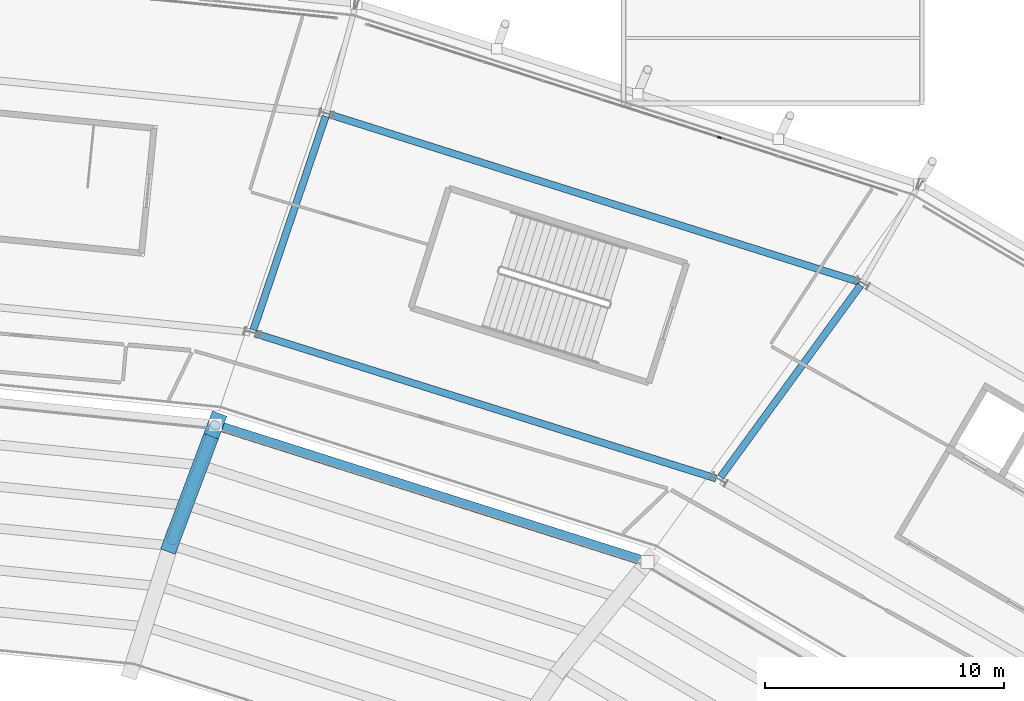
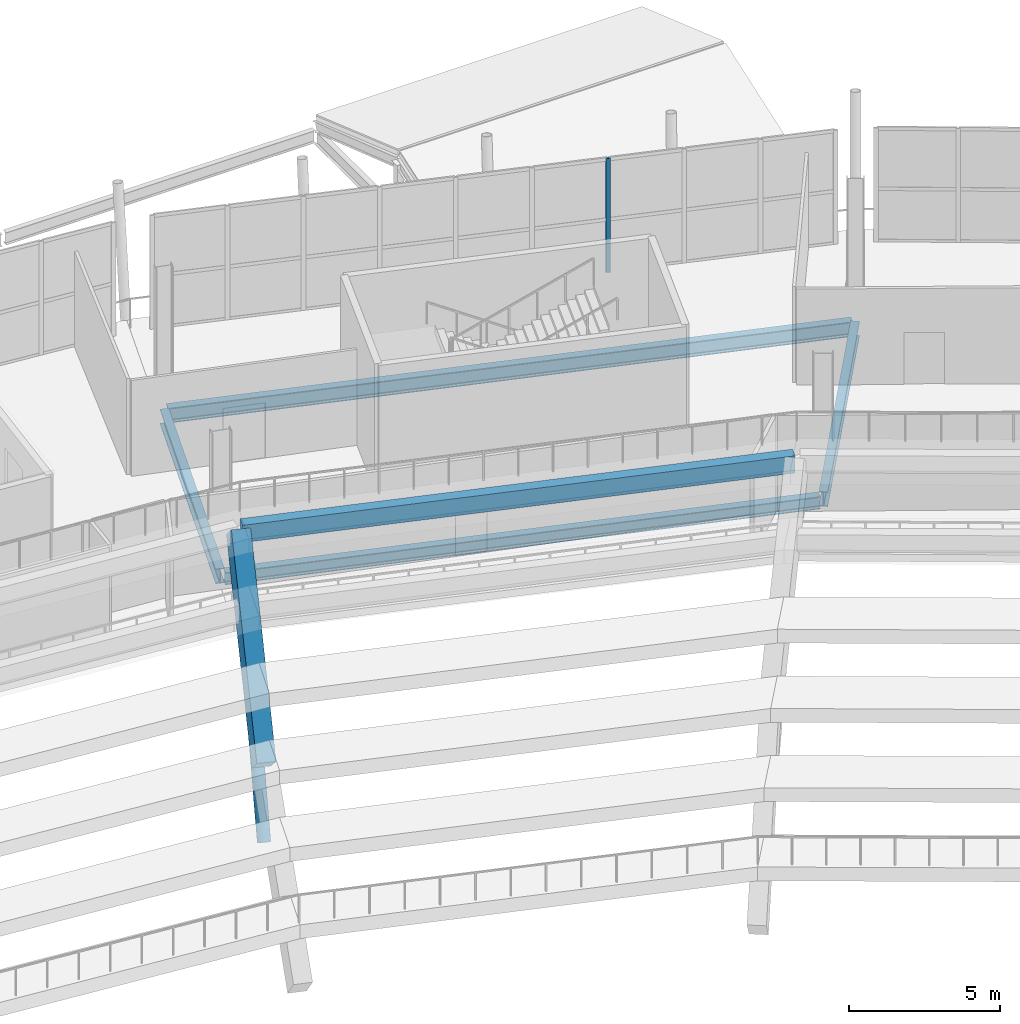
# One storey, part 56 of 126: 6 beams, 2 members, 1 element without a shape of its own.
"""IFC4 building model written with IfcOpenShell, lengths in metres."""

import ifcopenshell
import ifcopenshell.guid

model = None  # the IFC model being written
_history = None  # IfcOwnerHistory: only IFC2X3 demands one
_inside = {}  # id of a spatial element -> (the spatial element, [elements in it])
_under = {}  # id of a project, library or spatial element -> (it, [spatial elements below it])
_declared = {}  # id of a project -> (the project, [libraries it declares])
_typed = {}  # id of a type object -> (the type object, [elements of that type])
_made_of = {}  # id of a material, layer set ... -> (it, [elements and type objects made of it])


def new_model(schema):
    """Start an empty IFC model of exactly this schema.

    Asked for "IFC4X3", IfcOpenShell would pick the latest addendum, in which some entities
    have other attributes; the version numbers below select the first issue.
    IFC2X3 requires an IfcOwnerHistory on every rooted entity: one is made here for all.
    """
    global model, _history
    if schema == "IFC4X3":
        model = ifcopenshell.file(schema_version=(4, 3, 0, 0))
    else:
        model = ifcopenshell.file(schema=schema)
    _inside.clear()
    _under.clear()
    _declared.clear()
    _typed.clear()
    _made_of.clear()
    _history = None
    if model.schema == "IFC2X3":
        org = make("IfcOrganization", Name="unknown")
        user = make(
            "IfcPersonAndOrganization",
            ThePerson=make("IfcPerson", FamilyName="unknown"),
            TheOrganization=org,
        )
        app = make(
            "IfcApplication",
            ApplicationDeveloper=org,
            Version="unknown",
            ApplicationFullName="unknown",
            ApplicationIdentifier="unknown",
        )
        _history = make(
            "IfcOwnerHistory",
            OwningUser=user,
            OwningApplication=app,
            ChangeAction="ADDED",
            CreationDate=0,
        )
    return model


def make(cls, **values):
    """One entity of the class cls with the attributes given. An attribute that is None is left unset."""
    return model.create_entity(
        cls, **{name: value for name, value in values.items() if value is not None}
    )


def rooted(cls, **values):
    """An entity with a GlobalId (a new one), such as an element, a storey or a relation."""
    return make(cls, GlobalId=ifcopenshell.guid.new(), OwnerHistory=_history, **values)


def si_unit(unit_type, name, prefix=None):
    """IfcSIUnit, for example si_unit("LENGTHUNIT", "METRE", prefix="MILLI")."""
    return make("IfcSIUnit", UnitType=unit_type, Prefix=prefix, Name=name)


def assignment(units):
    """IfcUnitAssignment: the units of a project."""
    return None if units is None else make("IfcUnitAssignment", Units=units)


def point(xyz):
    """IfcCartesianPoint."""
    return None if xyz is None else make("IfcCartesianPoint", Coordinates=xyz)


def direction(xyz):
    """IfcDirection."""
    return None if xyz is None else make("IfcDirection", DirectionRatios=xyz)


def frame(location, z_axis=None, x_axis=None):
    """IfcAxis2Placement3D, a coordinate frame: its origin and axes. An axis left out is left unset."""
    return make(
        "IfcAxis2Placement3D",
        Location=point(location),
        Axis=direction(z_axis),
        RefDirection=direction(x_axis),
    )


def frame_2d(location, x_axis=None):
    """IfcAxis2Placement2D, a coordinate frame in the plane: its origin and x axis."""
    return make(
        "IfcAxis2Placement2D", Location=point(location), RefDirection=direction(x_axis)
    )


def origin():
    """The frame at (0, 0, 0) with its axes left unset."""
    return frame((0.0, 0.0, 0.0))


def origin_2d():
    """The frame at (0, 0) in the plane with its x axis left unset."""
    return frame_2d((0.0, 0.0))


def place(relative_to, where):
    """IfcLocalPlacement: puts the frame where relative to a parent placement (None: the world)."""
    return make(
        "IfcLocalPlacement", PlacementRelTo=relative_to, RelativePlacement=where
    )


def context(
    kind, dimensions, precision=None, world=None, true_north=None, identifier=None
):
    """IfcGeometricRepresentationContext, for example the 3D "Model" context."""
    return make(
        "IfcGeometricRepresentationContext",
        ContextIdentifier=identifier,
        ContextType=kind,
        CoordinateSpaceDimension=dimensions,
        Precision=precision,
        WorldCoordinateSystem=world,
        TrueNorth=true_north,
    )


def subcontext(parent, identifier, kind, view, scale=None):
    """IfcGeometricRepresentationSubContext, for example "Body" below "Model"."""
    return make(
        "IfcGeometricRepresentationSubContext",
        ContextIdentifier=identifier,
        ContextType=kind,
        ParentContext=parent,
        TargetScale=scale,
        TargetView=view,
    )


def project(units=None, contexts=None):
    """IfcProject with its units and contexts."""
    return rooted(
        "IfcProject",
        Name="project",
        RepresentationContexts=contexts,
        UnitsInContext=assignment(units),
    )


def spatial(cls, under=None, at=None, **own):
    """A site, building, storey or space (cls), placed at a placement, below another one or the project."""
    s = rooted(cls, ObjectPlacement=at, **own)
    if under is not None:
        _under.setdefault(under.id(), (under, []))[1].append(s)
    return s


def profile(cls, at=None, kind="AREA", **sizes):
    """A parametric profile (cls). Its sizes go by their IFC names, for example OverallWidth=200.0."""
    return make(cls, ProfileType=kind, Position=at, **sizes)


def rectangle(**sizes):
    """IfcRectangleProfileDef."""
    return profile("IfcRectangleProfileDef", **sizes)


def hollow_circle(**sizes):
    """IfcCircleHollowProfileDef."""
    return profile("IfcCircleHollowProfileDef", **sizes)


def i_section(**sizes):
    """IfcIShapeProfileDef."""
    return profile("IfcIShapeProfileDef", **sizes)


def extrude(swept, where, along, depth):
    """IfcExtrudedAreaSolid: the profile swept, set in the frame where, extruded along a direction by depth."""
    return make(
        "IfcExtrudedAreaSolid",
        SweptArea=swept,
        Position=where,
        ExtrudedDirection=direction(along),
        Depth=depth,
    )


def shape(context_of_items, identifier, shape_type, items):
    """IfcShapeRepresentation: the items that make up one representation, for example the "Body"."""
    return make(
        "IfcShapeRepresentation",
        ContextOfItems=context_of_items,
        RepresentationIdentifier=identifier,
        RepresentationType=shape_type,
        Items=items,
    )


def material(Name=None, Category=None):
    """IfcMaterial."""
    return make("IfcMaterial", Name=Name, Category=Category)


def material_profile(
    of_material, cross_section, Name=None, Category=None, Priority=None
):
    """IfcMaterialProfile: a cross section and its material."""
    return make(
        "IfcMaterialProfile",
        Name=Name,
        Material=of_material,
        Profile=cross_section,
        Priority=Priority,
        Category=Category,
    )


def profile_set(profiles, Name=None, composite=None):
    """IfcMaterialProfileSet."""
    return make(
        "IfcMaterialProfileSet",
        Name=Name,
        MaterialProfiles=profiles,
        CompositeProfile=composite,
    )


def made_of(thing, what):
    """Note that an element or type object is made of a material, layer set ...; save() writes the relation."""
    if what is not None:
        _made_of.setdefault(what.id(), (what, []))[1].append(thing)
    return thing


def type_object(cls, material=None, **own):
    """A type object (cls), such as IfcWallType, which elements share."""
    return made_of(rooted(cls, **own), material)


def element(
    cls,
    number,
    at=None,
    inside=None,
    cuts=None,
    type_object=None,
    material=None,
    context=None,
    identifier="Body",
    shape_type=None,
    held_by="IfcProductDefinitionShape",
    body=None,
    shapes=None,
    **own,
):
    """One element of the class cls, such as IfcWall. Its Tag is "e" and its number.

    at: its placement. inside: the storey or other place that contains it. cuts: it is an
    opening in that element (IfcRelVoidsElement). A single representation is given by context,
    identifier, shape_type and body (its items); several are given by shapes. held_by: the class
    of the entity that holds the representations. save() writes the other relations.
    """
    e = rooted(cls, Tag="e%d" % number, ObjectPlacement=at, **own)
    if body is not None:
        shapes = [shape(context, identifier, shape_type, body)]
    if shapes is not None:
        e.Representation = make(held_by, Representations=shapes)
    if inside is not None:
        _inside.setdefault(inside.id(), (inside, []))[1].append(e)
    if cuts is not None:
        rooted(
            "IfcRelVoidsElement", RelatingBuildingElement=cuts, RelatedOpeningElement=e
        )
    if type_object is not None:
        _typed.setdefault(type_object.id(), (type_object, []))[1].append(e)
    return made_of(e, material)


def aggregate(whole, parts):
    """IfcRelAggregates: a whole, such as a stair, and the parts it consists of."""
    return rooted("IfcRelAggregates", RelatingObject=whole, RelatedObjects=parts)


def save(model, path):
    """Write the relations noted so far, then the file.

    IfcRelAggregates (storeys below a building ...), IfcRelContainedInSpatialStructure (elements
    in a storey), IfcRelDefinesByType, IfcRelAssociatesMaterial and IfcRelDeclares: one each for
    every whole, place, type object, material and project.
    """
    for whole, parts in _under.values():
        aggregate(whole, parts)
    for where, things in _inside.values():
        rooted(
            "IfcRelContainedInSpatialStructure",
            RelatedElements=things,
            RelatingStructure=where,
        )
    for kind, things in _typed.values():
        rooted("IfcRelDefinesByType", RelatedObjects=things, RelatingType=kind)
    for what, things in _made_of.values():
        rooted("IfcRelAssociatesMaterial", RelatedObjects=things, RelatingMaterial=what)
    for by, libraries in _declared.values():
        rooted("IfcRelDeclares", RelatingContext=by, RelatedDefinitions=libraries)
    model.write(path)


model = new_model("IFC4")

# Units and contexts
model_context = context("Model", 3, precision=1e-05, world=origin(), true_north=direction((0.0, 1.0)))
body_context = subcontext(model_context, "Body", "Model", "MODEL_VIEW")
ifc_project = project(units=[si_unit("LENGTHUNIT", "METRE"), si_unit("AREAUNIT", "SQUARE_METRE"), si_unit("VOLUMEUNIT", "CUBIC_METRE"), si_unit("PLANEANGLEUNIT", "RADIAN"), si_unit("MASSUNIT", "GRAM", prefix="KILO")], contexts=[model_context])

# Site, building, storey
site_placement = place(None, origin())
site = spatial("IfcSite", under=ifc_project, at=site_placement, CompositionType="ELEMENT")
building_placement = place(site_placement, origin())
building = spatial("IfcBuilding", under=site, at=building_placement, Name="Zlatoyarsky Gate Stadium", CompositionType="ELEMENT")
storey_placement = place(building_placement, frame((0.0, 0.0, 20.800048828125)))
storey = spatial("IfcBuildingStorey", under=building, at=storey_placement, Name="L04", CompositionType="ELEMENT", Elevation=20.800048828125)

# Curtain wall, member
ifc_material_1 = material(Name="Thermally broken anodised aluminium curtain wall", Category="aluminium")
curtain_wall_type = type_object("IfcCurtainWallType", Name="UNITISED MEDIA RING GLAZING L04", PredefinedType="USERDEFINED", material=ifc_material_1)
curtain_wall_placement = place(storey_placement, origin())
curtain_wall = element("IfcCurtainWall", 1, at=curtain_wall_placement, inside=storey, type_object=curtain_wall_type, Name="Curtain wall CW-L04-04", ObjectType="UNITISED GLAZING", PredefinedType="USERDEFINED")
ifc_material_2 = material(Name="Anodised aluminium 6063-T6", Category="aluminium")
ifc_material_profile_1 = material_profile(ifc_material_2, rectangle(XDim=0.06494140625, YDim=0.159912109375, at=origin_2d()), Name="ALU 65X160")
ifc_profile_set_1 = profile_set([ifc_material_profile_1], Name="Anodised aluminium 6063-T6")
member_type_1 = type_object("IfcMemberType", Name="ALUMINIUM MULLION 65X160", PredefinedType="MULLION", material=ifc_profile_set_1)
member_1_placement = place(storey_placement, frame((151.524658203125, 147.578125, 0.0), z_axis=(0.0, 0.0, 1.0), x_axis=(-0.305065730928, -0.952331297298, 0.0)))
member_1 = element("IfcMember", 2, at=member_1_placement, type_object=member_type_1, Name="CW-UG4 mullion 4", PredefinedType="MULLION", context=body_context, shape_type="SweptSolid", body=[
    extrude(rectangle(XDim=0.06494140625, YDim=0.159912109375, at=origin_2d()), origin(), (0.0, 0.0, 1.0), 4.619873046875),
])
aggregate(curtain_wall, [member_1])

# Beams
ifc_material_3 = material(Name="Concrete C40/50", Category="concrete")
ifc_material_profile_2 = material_profile(ifc_material_3, rectangle(XDim=0.39990234375, YDim=0.699951171875, at=origin_2d()), Name="RC BEAM 400X700")
ifc_profile_set_2 = profile_set([ifc_material_profile_2], Name="Concrete C40/50")
beam_type_1 = type_object("IfcBeamType", Name="CONCRETE FLOOR BEAM 400X700", PredefinedType="BEAM", material=ifc_profile_set_2)
beam_1_placement = place(storey_placement, frame((148.40478515625, 129.826904296875, 4.18994140625), z_axis=(-0.953099268139, 0.302657868018, 0.0), x_axis=(-0.302657868018, -0.953099268139, 0.0)))
element("IfcBeam", 3, at=beam_1_placement, inside=storey, type_object=beam_type_1, Name="Upper bowl step tie beam 04.6", PredefinedType="BEAM", context=body_context, shape_type="SweptSolid", body=[
    extrude(rectangle(XDim=0.39990234375, YDim=0.699951171875, at=origin_2d()), origin(), (0.0, 0.0, 1.0), 18.779052734375),
])
ifc_material_4 = material(Name="Precast concrete C40/50", Category="concrete")
ifc_material_profile_3 = material_profile(ifc_material_4, rectangle(XDim=0.64990234375, YDim=1.35009765625, at=origin_2d()), Name="PC RAKER 650X1350")
ifc_profile_set_3 = profile_set([ifc_material_profile_3], Name="Precast concrete C40/50")
beam_type_2 = type_object("IfcBeamType", Name="PRECAST UPPER BOWL RAKER 650X1350", PredefinedType="USERDEFINED", material=ifc_profile_set_3)
beam_2_placement = place(storey_placement, frame((128.599609375, 130.711181640625, -1.719970703125), z_axis=(0.230963388332, 0.615674133943, 0.753393173611), x_axis=(-0.936286378911, 0.351237550192, 0.0)))
element("IfcBeam", 4, at=beam_2_placement, inside=storey, type_object=beam_type_2, Name="Upper bowl radial raker 05 outer", ObjectType="RAKER", PredefinedType="USERDEFINED", context=body_context, shape_type="SweptSolid", body=[
    extrude(rectangle(XDim=0.64990234375, YDim=1.35009765625, at=origin_2d()), origin(), (0.0, 0.0, 1.0), 7.844482421875),
])

# Member
ifc_material_5 = material(Name="Steel S355", Category="steel")
ifc_material_profile_4 = material_profile(ifc_material_5, hollow_circle(Radius=0.228515625, WallThickness=0.02490234375, at=origin_2d()), Name="CHS 457X25")
ifc_profile_set_4 = profile_set([ifc_material_profile_4], Name="Steel S355")
member_type_2 = type_object("IfcMemberType", Name="STEEL BACKSPAN TIE STRUT CHS 457X25", PredefinedType="STRUT", material=ifc_profile_set_4)
member_2_placement = place(storey_placement, frame((128.599609375, 130.711181640625, -4.85009765625), z_axis=(0.17407188051, 0.464019665846, 0.86855323966), x_axis=(-0.936286378911, 0.351237550192, 0.0)))
element("IfcMember", 5, at=member_2_placement, inside=storey, type_object=member_type_2, Name="Upper tier outer raker prop strut 05", PredefinedType="STRUT", context=body_context, shape_type="SweptSolid", body=[
    extrude(hollow_circle(Radius=0.228515625, WallThickness=0.02490234375, at=origin_2d()), origin(), (0.0, 0.0, 1.0), 10.408203125),
])

# Beams
ifc_material_profile_5 = material_profile(ifc_material_5, i_section(OverallWidth=0.300048828125, OverallDepth=0.5, WebThickness=0.014404296875, FlangeThickness=0.028076171875, FilletRadius=0.027099609375, at=origin_2d()), Name="HEB 500")
ifc_profile_set_5 = profile_set([ifc_material_profile_5], Name="Steel S355")
beam_type_3 = type_object("IfcBeamType", Name="STEEL PRIMARY GIRDER HEB 500", PredefinedType="BEAM", material=ifc_profile_set_5)
beam_3_placement = place(storey_placement, frame((151.385498046875, 133.296630859375, -0.550048828125), z_axis=(-0.953937507984, 0.300005384719, 0.0), x_axis=(-0.300005384719, -0.953937507984, 0.0)))
element("IfcBeam", 6, at=beam_3_placement, inside=storey, type_object=beam_type_3, Name="Beam G-HEB500 BM-L04-CRB-04", PredefinedType="BEAM", context=body_context, shape_type="SweptSolid", body=[
    extrude(i_section(OverallWidth=0.300048828125, OverallDepth=0.5, WebThickness=0.014404296875, FlangeThickness=0.028076171875, FilletRadius=0.027099609375, at=origin_2d()), origin(), (0.0, 0.0, 1.0), 20.239013671875),
])
ifc_material_profile_6 = material_profile(ifc_material_5, i_section(OverallWidth=0.300048828125, OverallDepth=0.60009765625, WebThickness=0.015380859375, FlangeThickness=0.030029296875, FilletRadius=0.027099609375, at=origin_2d()), Name="HEB 600")
ifc_profile_set_6 = profile_set([ifc_material_profile_6], Name="Steel S355")
beam_type_4 = type_object("IfcBeamType", Name="STEEL PRIMARY GIRDER HEB 600", PredefinedType="BEAM", material=ifc_profile_set_6)
beam_4_placement = place(storey_placement, frame((151.57080078125, 133.357666015625, -0.60009765625), z_axis=(0.589228266457, 0.807966614415, 0.0), x_axis=(-0.807966614415, 0.589228266457, 0.0)))
element("IfcBeam", 7, at=beam_4_placement, inside=storey, type_object=beam_type_4, Name="Beam G-HEB600 BM-L04-RBC-04", PredefinedType="BEAM", context=body_context, shape_type="SweptSolid", body=[
    extrude(i_section(OverallWidth=0.300048828125, OverallDepth=0.60009765625, WebThickness=0.015380859375, FlangeThickness=0.030029296875, FilletRadius=0.027099609375, at=origin_2d()), origin(), (0.0, 0.0, 1.0), 9.9423828125),
])
beam_5_placement = place(storey_placement, frame((157.385498046875, 141.52392578125, -0.60009765625), z_axis=(-0.953463107403, 0.301509706015, 0.0), x_axis=(-0.301509706015, -0.953463107403, 0.0)))
element("IfcBeam", 8, at=beam_5_placement, inside=storey, type_object=beam_type_4, Name="Beam G-HEB600 BM-L04-CRC-04", PredefinedType="BEAM", context=body_context, shape_type="SweptSolid", body=[
    extrude(i_section(OverallWidth=0.300048828125, OverallDepth=0.60009765625, WebThickness=0.015380859375, FlangeThickness=0.030029296875, FilletRadius=0.027099609375, at=origin_2d()), origin(), (0.0, 0.0, 1.0), 23.284423828125),
])
beam_6_placement = place(storey_placement, frame((132.002685546875, 139.51806640625, -0.60009765625), z_axis=(0.320612225581, 0.947210536686, 0.0), x_axis=(-0.947210536686, 0.320612225581, 0.0)))
element("IfcBeam", 9, at=beam_6_placement, inside=storey, type_object=beam_type_4, Name="Beam G-HEB600 BM-L04-RBC-05", PredefinedType="BEAM", context=body_context, shape_type="SweptSolid", body=[
    extrude(i_section(OverallWidth=0.300048828125, OverallDepth=0.60009765625, WebThickness=0.015380859375, FlangeThickness=0.030029296875, FilletRadius=0.027099609375, at=origin_2d()), origin(), (0.0, 0.0, 1.0), 9.44775390625),
])

save(model, "model.ifc")
